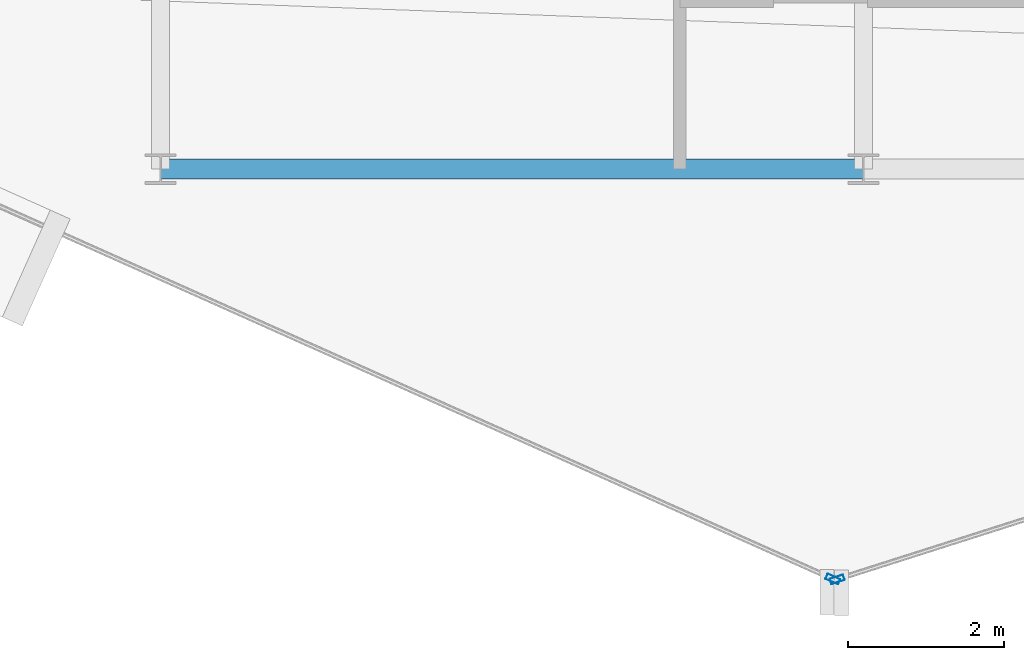
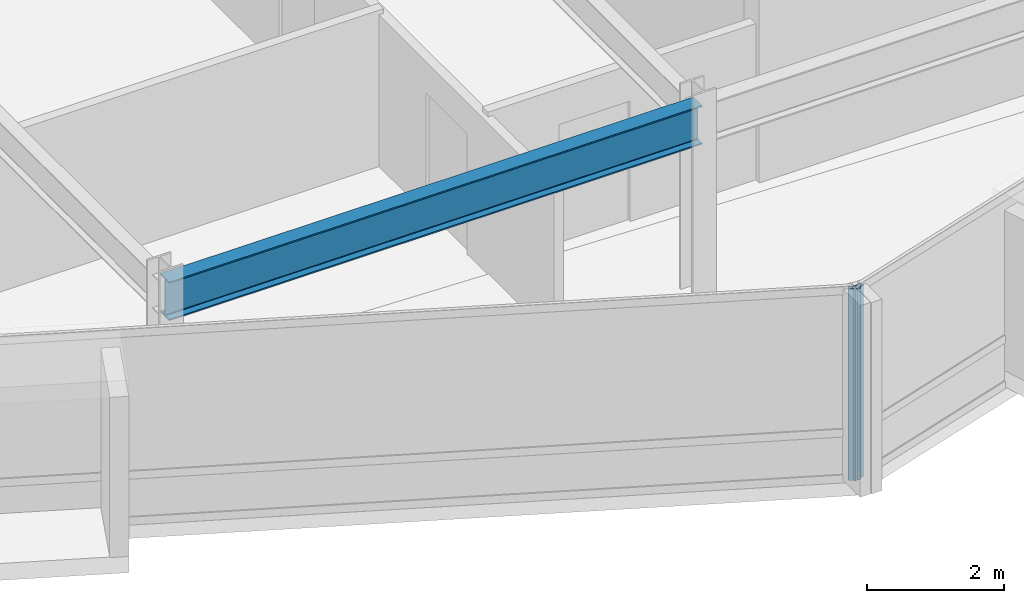
# One storey, part 4 of 19: 2 members, 1 beam, 2 elements without a shape of their own.
"""IFC4 building model written with IfcOpenShell, lengths in metres."""

from ifc_helpers import new_model, si_unit, direction, frame, origin, origin_2d, place, context, subcontext, project, spatial, hollow_rectangle, i_section, extrude, material, layer, layer_set, material_profile, profile_set, type_object, element, aggregate, save


model = new_model("IFC4")

# Units and contexts
model_context = context("Model", 3, precision=1e-05, world=origin(), true_north=direction((0.0, 1.0)))
body_context = subcontext(model_context, "Body", "Model", "MODEL_VIEW")
ifc_project = project(units=[si_unit("LENGTHUNIT", "METRE"), si_unit("AREAUNIT", "SQUARE_METRE"), si_unit("VOLUMEUNIT", "CUBIC_METRE"), si_unit("PLANEANGLEUNIT", "RADIAN"), si_unit("MASSUNIT", "GRAM", prefix="KILO")], contexts=[model_context])

# Site, building, storey
site_placement = place(None, origin())
site = spatial("IfcSite", under=ifc_project, at=site_placement, CompositionType="ELEMENT")
building_placement = place(site_placement, origin())
building = spatial("IfcBuilding", under=site, at=building_placement, Name="Solvaryn Broadcast Tower", CompositionType="ELEMENT")
storey_placement = place(building_placement, frame((0.0, 0.0, 248.199951171875)))
storey = spatial("IfcBuildingStorey", under=building, at=storey_placement, Name="L62", CompositionType="ELEMENT", Elevation=248.199951171875)

# Beam
ifc_material_1 = material(Name="Steel ASTM A992 Grade 50", Category="steel")
ifc_material_profile_1 = material_profile(ifc_material_1, i_section(OverallWidth=0.256103515625, OverallDepth=0.693115234375, WebThickness=0.014404296875, FlangeThickness=0.023681640625, FilletRadius=0.01611328125, at=origin_2d()))
ifc_profile_set_1 = profile_set([ifc_material_profile_1], Name="Steel ASTM A992 Grade 50")
beam_type = type_object("IfcBeamType", Name="BM-SP3-W27X114", PredefinedType="USERDEFINED", material=ifc_profile_set_1)
beam_placement = place(storey_placement, frame((18.0, 9.0, 3.073486328125), z_axis=(1.0, 0.0, 0.0), x_axis=(0.0, 1.0, 0.0)))
element("IfcBeam", 1, at=beam_placement, inside=storey, type_object=beam_type, Name="L62 Spandrel Beam X (18-27 @ Y=9)", ObjectType="SPANDREL", PredefinedType="USERDEFINED", context=body_context, shape_type="SweptSolid", body=[
    extrude(i_section(OverallWidth=0.256103515625, OverallDepth=0.693115234375, WebThickness=0.014404296875, FlangeThickness=0.023681640625, FilletRadius=0.01611328125, at=origin_2d()), origin(), (0.0, 0.0, 1.0), 9.0),
])

# Curtain wall, member
ifc_material_2 = material(Name="Aluminium and Terracotta Unitised Curtain Wall", Category="masonry")
ifc_layer = layer(ifc_material_2, 0.199951171875)
ifc_layer_set = layer_set([ifc_layer], Name="CW-SYS2-LOWMID")
curtain_wall_type = type_object("IfcCurtainWallType", Name="CW-SYS2-LOWMID", PredefinedType="NOTDEFINED", material=ifc_layer_set)
curtain_wall_1_placement = place(storey_placement, origin())
curtain_wall_1 = element("IfcCurtainWall", 2, at=curtain_wall_1_placement, inside=storey, type_object=curtain_wall_type, Name="L62 Curtain Wall DR3", PredefinedType="NOTDEFINED")
ifc_material_3 = material(Name="Anodised Aluminium 6063-T6", Category="aluminium")
ifc_material_profile_2 = material_profile(ifc_material_3, hollow_rectangle(XDim=0.074951171875, YDim=0.179931640625, WallThickness=0.00390625, InnerFilletRadius=0.00390625, OuterFilletRadius=0.008056640625, at=origin_2d()))
ifc_profile_set_2 = profile_set([ifc_material_profile_2], Name="Anodised Aluminium 6063-T6")
member_type = type_object("IfcMemberType", Name="CW-MUL-180", PredefinedType="MULLION", material=ifc_profile_set_2)
member_1_placement = place(storey_placement, frame((26.608642578125, 3.750244140625, 0.0), z_axis=(0.0, 0.0, 1.0), x_axis=(0.408466010682, 0.912773530574, 0.0)))
member_1 = element("IfcMember", 3, at=member_1_placement, type_object=member_type, Name="CWS2 mullion 2", PredefinedType="MULLION", context=body_context, shape_type="SweptSolid", body=[
    extrude(hollow_rectangle(XDim=0.074951171875, YDim=0.179931640625, WallThickness=0.00390625, InnerFilletRadius=0.00390625, OuterFilletRadius=0.008056640625, at=origin_2d()), origin(), (0.0, 0.0, 1.0), 3.420166015625),
])
aggregate(curtain_wall_1, [member_1])

curtain_wall_2_placement = place(storey_placement, origin())
curtain_wall_2 = element("IfcCurtainWall", 4, at=curtain_wall_2_placement, inside=storey, type_object=curtain_wall_type, Name="L62 Curtain Wall DR4", PredefinedType="NOTDEFINED")
member_2_placement = place(storey_placement, frame((26.66455078125, 3.7470703125, 0.0), z_axis=(0.0, 0.0, 1.0), x_axis=(-0.30361564569, 0.952794594701, 0.0)))
member_2 = element("IfcMember", 5, at=member_2_placement, type_object=member_type, Name="CWS2 mullion 1", PredefinedType="MULLION", context=body_context, shape_type="SweptSolid", body=[
    extrude(hollow_rectangle(XDim=0.074951171875, YDim=0.179931640625, WallThickness=0.00390625, InnerFilletRadius=0.00390625, OuterFilletRadius=0.008056640625, at=origin_2d()), origin(), (0.0, 0.0, 1.0), 3.420166015625),
])
aggregate(curtain_wall_2, [member_2])

save(model, "model.ifc")
